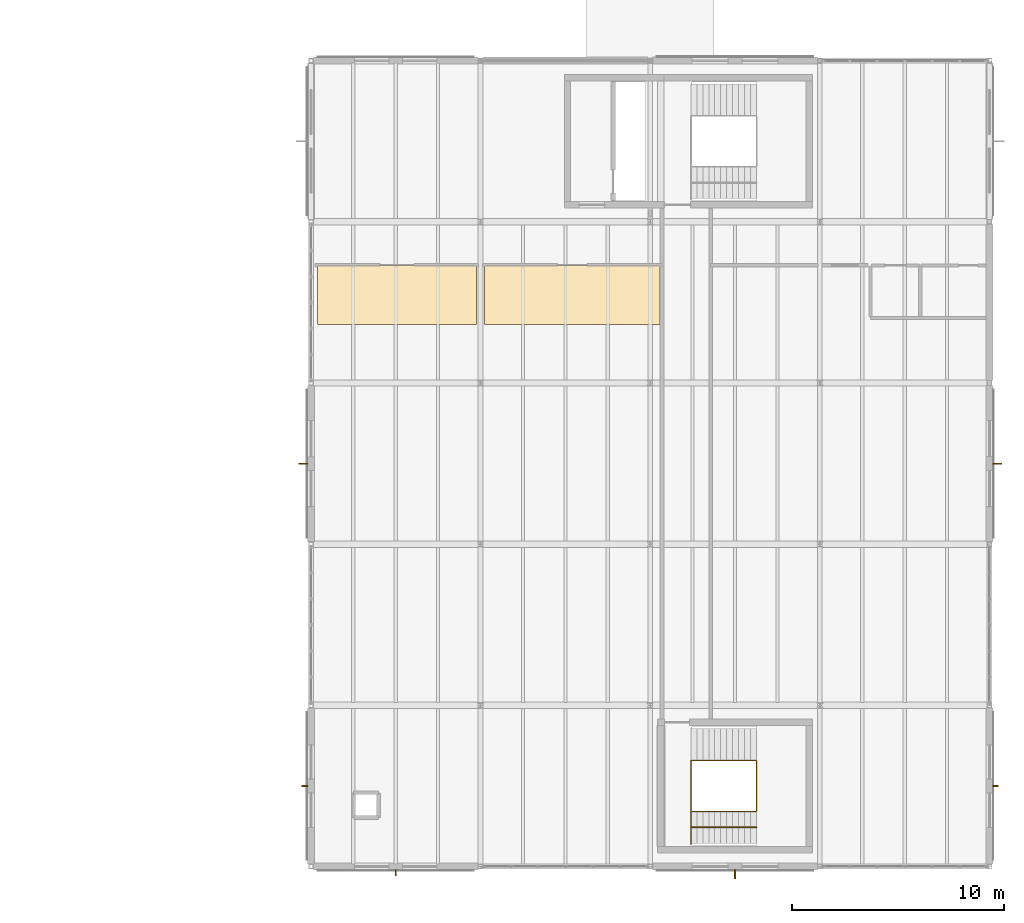
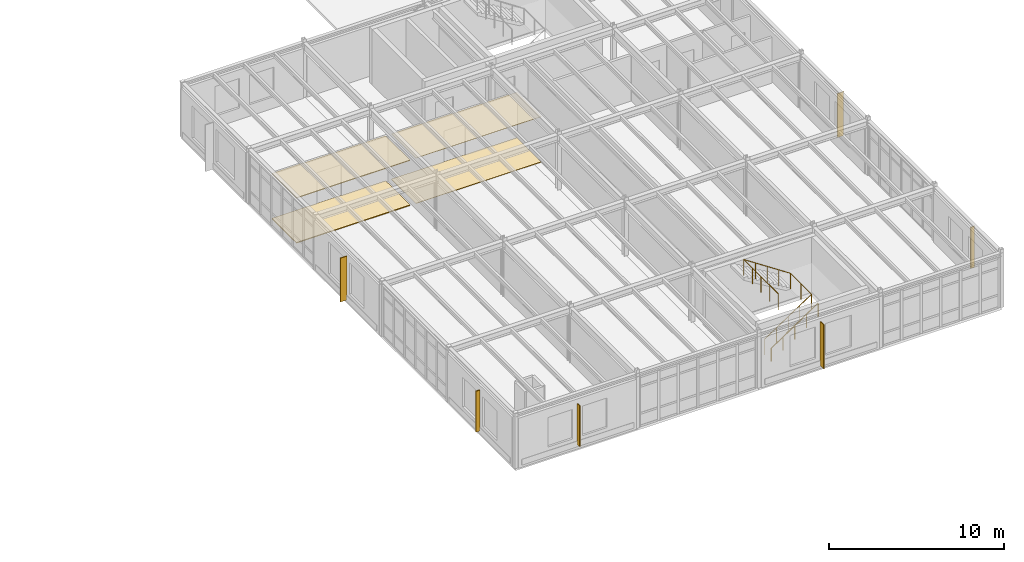
# One storey, part 111 of 114: 6 shading devices, 4 coverings, 2 railings.
"""IFC4 building model written with IfcOpenShell, lengths in metres."""

from ifc_helpers import new_model, si_unit, direction, frame, origin, origin_2d, place, context, subcontext, project, spatial, polyline, rectangle, circle, outline, extrude, material, layer, layer_set, type_object, element, save


model = new_model("IFC4")

# Units and contexts
model_context = context("Model", 3, precision=1e-05, world=origin(), true_north=direction((0.0, 1.0)))
body_context = subcontext(model_context, "Body", "Model", "MODEL_VIEW")
ifc_project = project(units=[si_unit("LENGTHUNIT", "METRE"), si_unit("AREAUNIT", "SQUARE_METRE"), si_unit("VOLUMEUNIT", "CUBIC_METRE"), si_unit("PLANEANGLEUNIT", "RADIAN"), si_unit("MASSUNIT", "GRAM", prefix="KILO")], contexts=[model_context])

# Site, building, storey
site_placement = place(None, origin())
site = spatial("IfcSite", under=ifc_project, at=site_placement, CompositionType="ELEMENT")
building_placement = place(site_placement, origin())
building = spatial("IfcBuilding", under=site, at=building_placement, Name="Montecoro Central Library", CompositionType="ELEMENT")
storey_placement = place(building_placement, frame((0.0, 0.0, 13.260009765625)))
storey = spatial("IfcBuildingStorey", under=building, at=storey_placement, Name="L03", CompositionType="ELEMENT", Elevation=13.260009765625)

# Coverings
ifc_material_1 = material(Name="Acoustic perforated mineral ceiling")
ifc_layer_1 = layer(ifc_material_1, 0.02490234375)
ifc_layer_set_1 = layer_set([ifc_layer_1], Name="Acoustic perforated mineral ceiling")
covering_type_1 = type_object("IfcCoveringType", Name="COV-CLG-01", PredefinedType="CEILING", material=ifc_layer_set_1)
covering_1_placement = place(storey_placement, frame((0.0, 0.0, 3.155029296875)))
element("IfcCovering", 1, at=covering_1_placement, inside=storey, type_object=covering_type_1, Name="CLG-SP-V6-L03-R2P1", PredefinedType="CEILING", context=body_context, shape_type="SweptSolid", body=[
    extrude(outline(polyline([(149.18994140625, 30.550048828125), (157.449951171875, 30.550048828125), (157.449951171875, 33.35009765625), (149.18994140625, 33.35009765625), (149.18994140625, 30.550048828125)])), origin(), (0.0, 0.0, 1.0), 0.02490234375),
])
ifc_layer_2 = layer(ifc_material_1, 0.048095703125)
ifc_layer_set_2 = layer_set([ifc_layer_2], Name="Acoustic perforated mineral ceiling")
covering_type_2 = type_object("IfcCoveringType", Name="COV-CLG-04", PredefinedType="CEILING", material=ifc_layer_set_2)
covering_2_placement = place(storey_placement, frame((0.0, 0.0, 3.132080078125)))
element("IfcCovering", 2, at=covering_2_placement, inside=storey, type_object=covering_type_2, Name="CLG-SP-V6-L03-R1P1", PredefinedType="CEILING", context=body_context, shape_type="SweptSolid", body=[
    extrude(outline(polyline([(141.320068359375, 30.550048828125), (148.81005859375, 30.550048828125), (148.81005859375, 33.35009765625), (141.320068359375, 33.35009765625), (141.320068359375, 30.550048828125)])), origin(), (0.0, 0.0, 1.0), 0.0478515625),
])
ifc_material_2 = material(Name="Neapolitan brass-inlaid terrazzo flooring")
ifc_layer_3 = layer(ifc_material_2, 0.028076171875)
ifc_layer_set_3 = layer_set([ifc_layer_3], Name="Neapolitan brass-inlaid terrazzo flooring")
covering_type_3 = type_object("IfcCoveringType", Name="COV-FLR-01", PredefinedType="FLOORING", material=ifc_layer_set_3)
covering_3_placement = place(storey_placement, origin())
element("IfcCovering", 3, at=covering_3_placement, inside=storey, type_object=covering_type_3, Name="FLR-SP-V6-L03-R2P1", PredefinedType="FLOORING", context=body_context, shape_type="SweptSolid", body=[
    extrude(outline(polyline([(149.18994140625, 30.550048828125), (157.449951171875, 30.550048828125), (157.449951171875, 33.35009765625), (149.18994140625, 33.35009765625), (149.18994140625, 30.550048828125)])), origin(), (0.0, 0.0, 1.0), 0.028076171875),
])
ifc_layer_4 = layer(ifc_material_2, 0.052001953125)
ifc_layer_set_4 = layer_set([ifc_layer_4], Name="Neapolitan brass-inlaid terrazzo flooring")
covering_type_4 = type_object("IfcCoveringType", Name="COV-FLR-04", PredefinedType="FLOORING", material=ifc_layer_set_4)
covering_4_placement = place(storey_placement, origin())
element("IfcCovering", 4, at=covering_4_placement, inside=storey, type_object=covering_type_4, Name="FLR-SP-V6-L03-R1P1", PredefinedType="FLOORING", context=body_context, shape_type="SweptSolid", body=[
    extrude(outline(polyline([(141.320068359375, 30.550048828125), (148.81005859375, 30.550048828125), (148.81005859375, 33.35009765625), (141.320068359375, 33.35009765625), (141.320068359375, 30.550048828125)])), origin(), (0.0, 0.0, 1.0), 0.052001953125),
])

# Railings
ifc_material_3 = material(Name="Brushed stainless steel and bronze balustrade", Category="steel")
railing_type_1 = type_object("IfcRailingType", Name="GRD-INT-110", PredefinedType="GUARDRAIL", material=ifc_material_3)
railing_1_placement = place(storey_placement, frame((158.919921875, 7.60009765625, 0.0)))
element("IfcRailing", 5, at=railing_1_placement, inside=storey, type_object=railing_type_1, Name="C10-L03-STR-GRD", PredefinedType="GUARDRAIL", context=body_context, shape_type="SweptSolid", body=[
    extrude(circle(Radius=0.02392578125, at=origin_2d()), frame((0.0, 0.0, 1.09619140625), z_axis=(0.833713881912, 0.0, 0.552196670677), x_axis=(0.0, 1.0, 0.0)), (0.0, 0.0, 1.0), 3.6943359375),
    extrude(circle(Radius=0.02392578125, at=origin_2d()), frame((3.080078125, 0.0, 3.13623046875), z_axis=(0.0, 1.0, 0.0), x_axis=(-1.0, 0.0, 0.0)), (0.0, 0.0, 1.0), 2.39990234375),
    extrude(circle(Radius=0.02392578125, at=origin_2d()), frame((3.080078125, 2.39990234375, 3.13623046875), z_axis=(-0.833713881912, 0.0, 0.552196670677), x_axis=(0.0, -1.0, 0.0)), (0.0, 0.0, 1.0), 3.6943359375),
    extrude(circle(Radius=0.02392578125, at=origin_2d()), frame((0.0, 2.39990234375, 5.17626953125), z_axis=(0.0, -1.0, 0.0), x_axis=(1.0, 0.0, 0.0)), (0.0, 0.0, 1.0), 3.949951171875),
    extrude(circle(Radius=0.02099609375, at=origin_2d()), origin(), (0.0, 0.0, 1.0), 1.072021484375),
    extrude(circle(Radius=0.02099609375, at=origin_2d()), frame((0.77001953125, 0.0, 0.510009765625)), (0.0, 0.0, 1.0), 1.072021484375),
    extrude(circle(Radius=0.02099609375, at=origin_2d()), frame((1.5400390625, 0.0, 1.02001953125)), (0.0, 0.0, 1.0), 1.072021484375),
    extrude(circle(Radius=0.02099609375, at=origin_2d()), frame((2.31005859375, 0.0, 1.530029296875)), (0.0, 0.0, 1.0), 1.072021484375),
    extrude(circle(Radius=0.02099609375, at=origin_2d()), frame((3.080078125, 0.0, 2.0400390625)), (0.0, 0.0, 1.0), 1.072021484375),
    extrude(circle(Radius=0.02099609375, at=origin_2d()), frame((3.080078125, 1.199951171875, 2.0400390625)), (0.0, 0.0, 1.0), 1.072021484375),
    extrude(circle(Radius=0.02099609375, at=origin_2d()), frame((3.080078125, 2.39990234375, 2.0400390625)), (0.0, 0.0, 1.0), 1.072021484375),
    extrude(circle(Radius=0.02099609375, at=origin_2d()), frame((2.31005859375, 2.39990234375, 2.550048828125)), (0.0, 0.0, 1.0), 1.072021484375),
    extrude(circle(Radius=0.02099609375, at=origin_2d()), frame((1.5400390625, 2.39990234375, 3.06005859375)), (0.0, 0.0, 1.0), 1.072021484375),
    extrude(circle(Radius=0.02099609375, at=origin_2d()), frame((0.77001953125, 2.39990234375, 3.570068359375)), (0.0, 0.0, 1.0), 1.072021484375),
    extrude(circle(Radius=0.02099609375, at=origin_2d()), frame((0.0, 2.39990234375, 4.080078125)), (0.0, 0.0, 1.0), 1.072021484375),
    extrude(circle(Radius=0.02099609375, at=origin_2d()), frame((0.0, 1.412353515625, 4.080078125)), (0.0, 0.0, 1.0), 1.072021484375),
    extrude(circle(Radius=0.02099609375, at=origin_2d()), frame((0.0, 0.4248046875, 4.080078125)), (0.0, 0.0, 1.0), 1.072021484375),
    extrude(circle(Radius=0.02099609375, at=origin_2d()), frame((0.0, -0.5625, 4.080078125)), (0.0, 0.0, 1.0), 1.072021484375),
    extrude(circle(Radius=0.02099609375, at=origin_2d()), frame((0.0, -1.550048828125, 4.080078125)), (0.0, 0.0, 1.0), 1.072021484375),
])
ifc_material_4 = material(Name="Brushed architectural bronze handrail")
railing_type_2 = type_object("IfcRailingType", Name="HRL-STR-095", PredefinedType="HANDRAIL", material=ifc_material_4)
railing_2_placement = place(storey_placement, frame((158.919921875, 6.85009765625, 0.0)))
element("IfcRailing", 6, at=railing_2_placement, inside=storey, type_object=railing_type_2, Name="C10-L03-STR-HR1", PredefinedType="HANDRAIL", context=body_context, shape_type="SweptSolid", body=[
    extrude(circle(Radius=0.02392578125, at=origin_2d()), frame((0.0, 0.0, 0.92578125), z_axis=(0.833713881912, 0.0, 0.552196670677), x_axis=(0.0, 1.0, 0.0)), (0.0, 0.0, 1.0), 3.6943359375),
    extrude(circle(Radius=0.02099609375, at=origin_2d()), origin(), (0.0, 0.0, 1.0), 0.90185546875),
    extrude(circle(Radius=0.02099609375, at=origin_2d()), frame((0.77001953125, 0.0, 0.510009765625)), (0.0, 0.0, 1.0), 0.90185546875),
    extrude(circle(Radius=0.02099609375, at=origin_2d()), frame((1.5400390625, 0.0, 1.02001953125)), (0.0, 0.0, 1.0), 0.90185546875),
    extrude(circle(Radius=0.02099609375, at=origin_2d()), frame((2.31005859375, 0.0, 1.530029296875)), (0.0, 0.0, 1.0), 0.90185546875),
    extrude(circle(Radius=0.02099609375, at=origin_2d()), frame((3.080078125, 0.0, 2.0400390625)), (0.0, 0.0, 1.0), 0.90185546875),
])

# Shading devices
ifc_material_5 = material(Name="Architectural bronze solar fin", Category="aluminium")
shading_device_type_1 = type_object("IfcShadingDeviceType", Name="SHD-FIN-13", PredefinedType="USERDEFINED", material=ifc_material_5)
for number, where, z_axis, x_axis, name in (
    (7, (145.0, 4.70947265625, 0.31494140625), (0.0, 0.0, 1.0), (1.0, 0.0, 0.0), "V6-L03-FIN-S0"),
    (8, (173.29052734375, 8.800048828125, 0.31494140625), (0.0, 0.0, 1.0), (0.0, 1.0, 0.0), "V6-L03-FIN-E0"),
    (9, (140.70947265625, 8.800048828125, 0.31494140625), (0.0, 0.0, 1.0), (0.0, -1.0, 0.0), "V6-L03-FIN-W0"),
):
    element("IfcShadingDevice", number, at=place(storey_placement, frame(where, z_axis=z_axis, x_axis=x_axis)), inside=storey, type_object=shading_device_type_1, Name=name, ObjectType="SOLAR FIN", PredefinedType="USERDEFINED", context=body_context, shape_type="SweptSolid", body=[
        extrude(rectangle(XDim=0.06005859375, YDim=0.260009765625, at=origin_2d()), origin(), (0.0, 0.0, 1.0), 2.85009765625),
    ])
shading_device_type_2 = type_object("IfcShadingDeviceType", Name="SHD-FIN-15", PredefinedType="USERDEFINED", material=ifc_material_5)
for number, where, z_axis, x_axis, name in (
    (10, (161.0, 4.634521484375, 0.21484375), (0.0, 0.0, 1.0), (1.0, 0.0, 0.0), "V6-L03-FIN-S2"),
    (11, (173.365478515625, 24.0, 0.21484375), (0.0, 0.0, 1.0), (0.0, 1.0, 0.0), "V6-L03-FIN-E2"),
    (12, (140.634521484375, 24.0, 0.21484375), (0.0, 0.0, 1.0), (0.0, -1.0, 0.0), "V6-L03-FIN-W2"),
):
    element("IfcShadingDevice", number, at=place(storey_placement, frame(where, z_axis=z_axis, x_axis=x_axis)), inside=storey, type_object=shading_device_type_2, Name=name, ObjectType="SOLAR FIN", PredefinedType="USERDEFINED", context=body_context, shape_type="SweptSolid", body=[
        extrude(rectangle(XDim=0.06005859375, YDim=0.409912109375, at=origin_2d()), origin(), (0.0, 0.0, 1.0), 3.050048828125),
    ])

save(model, "model.ifc")
